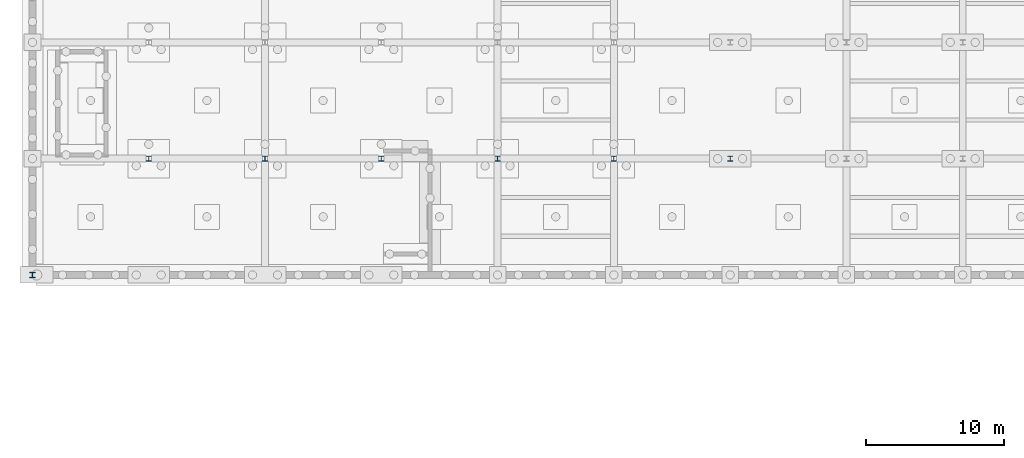
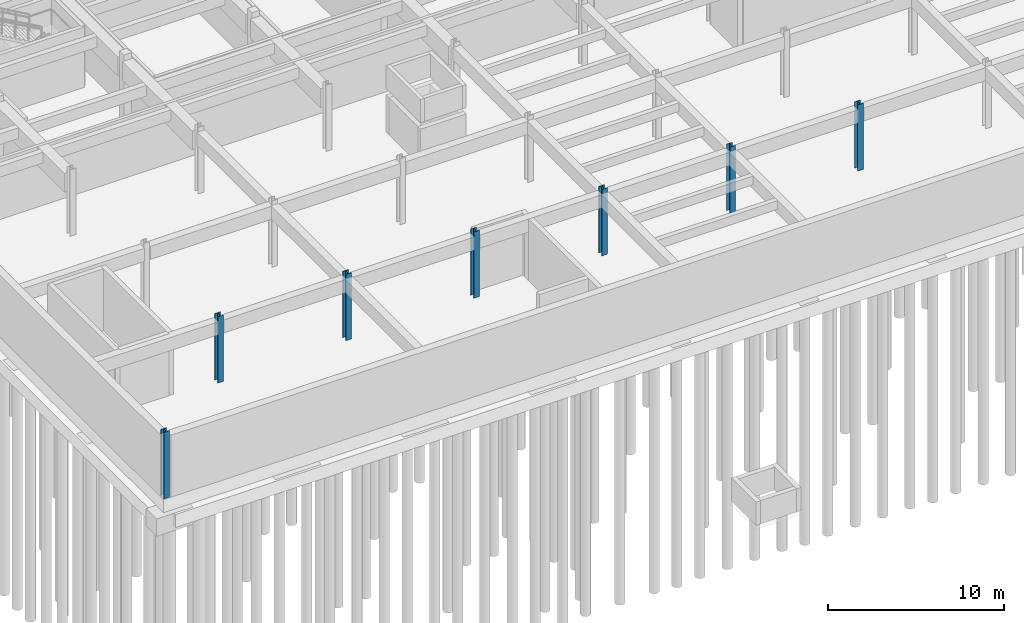
# One storey, part 11 of 33: 7 columns.
"""IFC4 building model written with IfcOpenShell, lengths in metres."""

from ifc_helpers import new_model, si_unit, direction, frame, origin, origin_2d, place, context, subcontext, project, spatial, i_section, extrude, material, material_profile, profile_set, type_object, element, save


model = new_model("IFC4")

# Units and contexts
model_context = context("Model", 3, precision=1e-05, world=origin(), true_north=direction((0.0, 1.0)))
body_context = subcontext(model_context, "Body", "Model", "MODEL_VIEW")
ifc_project = project(units=[si_unit("LENGTHUNIT", "METRE"), si_unit("AREAUNIT", "SQUARE_METRE"), si_unit("VOLUMEUNIT", "CUBIC_METRE"), si_unit("PLANEANGLEUNIT", "RADIAN"), si_unit("MASSUNIT", "GRAM", prefix="KILO")], contexts=[model_context])

# Site, building, storey
site_placement = place(None, origin())
site = spatial("IfcSite", under=ifc_project, at=site_placement, CompositionType="ELEMENT")
building_placement = place(site_placement, origin())
building = spatial("IfcBuilding", under=site, at=building_placement, Name="Ljudholm Concert House", CompositionType="ELEMENT")
storey_placement = place(building_placement, frame((0.0, 0.0, -4.60009765625)))
storey = spatial("IfcBuildingStorey", under=building, at=storey_placement, Name="B1", CompositionType="ELEMENT", Elevation=-4.60009765625)

# Columns
ifc_material = material(Name="Steel ASTM A992", Category="steel")
ifc_material_profile = material_profile(ifc_material, i_section(OverallWidth=0.373291015625, OverallDepth=0.373291015625, WebThickness=0.016357421875, FlangeThickness=0.026123046875, FilletRadius=0.01513671875, at=origin_2d()), Name="W14X132")
ifc_profile_set = profile_set([ifc_material_profile], Name="Steel ASTM A992")
column_type = type_object("IfcColumnType", Name="STEEL COLUMN W14X132", PredefinedType="COLUMN", material=ifc_profile_set)
for number, where, z_axis, x_axis, name in (
    (1, (54.39990234375, 113.199951171875, 0.0), (0.0, 0.0, 1.0), (1.0, 0.0, 0.0), "Basement column"),
    (2, (4.0, 104.800048828125, 0.0), (0.0, 0.0, 1.0), (1.0, 0.0, 0.0), "Basement column"),
    (3, (12.39990234375, 113.199951171875, 0.0), (0.0, 0.0, 1.0), (1.0, 0.0, 0.0), "Basement column"),
    (4, (20.800048828125, 113.199951171875, 0.0), (0.0, 0.0, 1.0), (1.0, 0.0, 0.0), "Basement column"),
    (5, (29.199951171875, 113.199951171875, 0.0), (0.0, 0.0, 1.0), (1.0, 0.0, 0.0), "Basement column"),
    (6, (37.60009765625, 113.199951171875, 0.0), (0.0, 0.0, 1.0), (1.0, 0.0, 0.0), "Basement column"),
    (7, (46.0, 113.199951171875, 0.0), (0.0, 0.0, 1.0), (1.0, 0.0, 0.0), "Basement column"),
):
    element("IfcColumn", number, at=place(storey_placement, frame(where, z_axis=z_axis, x_axis=x_axis)), inside=storey, type_object=column_type, Name=name, PredefinedType="COLUMN", context=body_context, shape_type="SweptSolid", body=[
        extrude(i_section(OverallWidth=0.373291015625, OverallDepth=0.373291015625, WebThickness=0.016357421875, FlangeThickness=0.026123046875, FilletRadius=0.01513671875, at=origin_2d()), origin(), (0.0, 0.0, 1.0), 4.60009765625),
    ])

save(model, "model.ifc")
